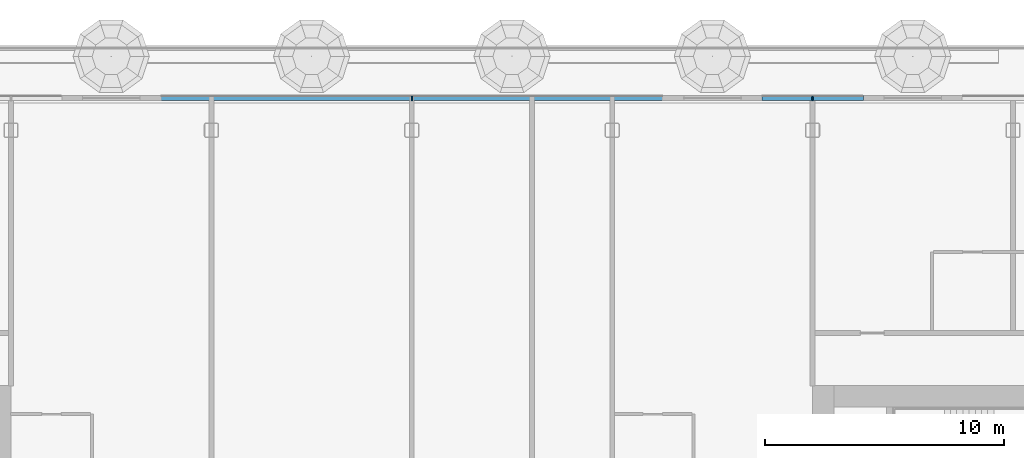
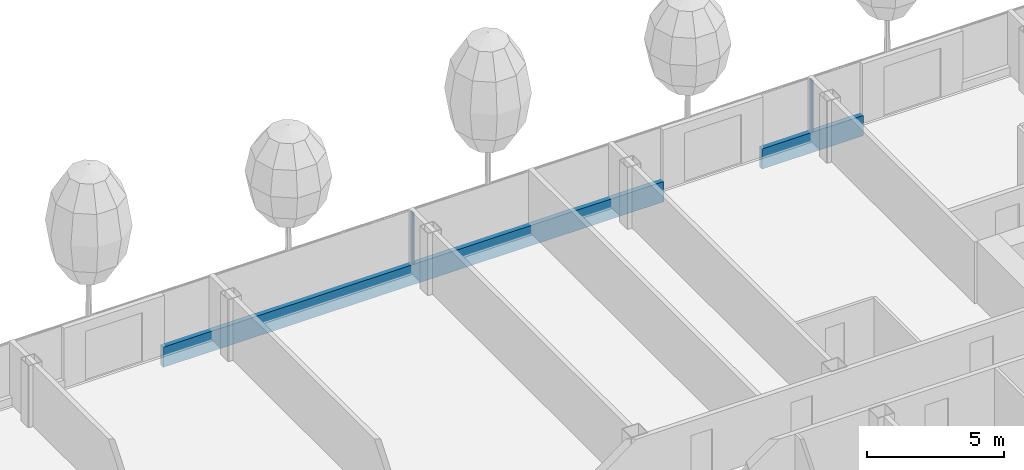
# One storey, part 6 of 28: 4 members, 1 element without a shape of its own.
"""IFC4 building model written with IfcOpenShell, lengths in metres."""

from ifc_helpers import new_model, si_unit, direction, frame, origin, origin_2d, place, context, subcontext, project, spatial, rectangle, extrude, material, layer, layer_set, material_profile, profile_set, type_object, element, aggregate, save


model = new_model("IFC4")

# Units and contexts
model_context = context("Model", 3, precision=1e-05, world=origin(), true_north=direction((0.0, 1.0)))
body_context = subcontext(model_context, "Body", "Model", "MODEL_VIEW")
ifc_project = project(units=[si_unit("LENGTHUNIT", "METRE"), si_unit("AREAUNIT", "SQUARE_METRE"), si_unit("VOLUMEUNIT", "CUBIC_METRE"), si_unit("PLANEANGLEUNIT", "RADIAN"), si_unit("MASSUNIT", "GRAM", prefix="KILO")], contexts=[model_context])

# Site, building, storey
site_placement = place(None, origin())
site = spatial("IfcSite", under=ifc_project, at=site_placement, CompositionType="ELEMENT")
building_placement = place(site_placement, origin())
building = spatial("IfcBuilding", under=site, at=building_placement, Name="Hakoniwa Tower and Hamabe Station Hall", CompositionType="ELEMENT")
storey_placement = place(building_placement, frame((0.0, 0.0, 218.60009765625)))
storey = spatial("IfcBuildingStorey", under=building, at=storey_placement, Name="L62", CompositionType="ELEMENT", Elevation=218.60009765625)

# Curtain wall, members
ifc_material_1 = material(Name="Dark low-e laminated glass", Category="glass")
ifc_layer = layer(ifc_material_1, 0.199951171875)
ifc_layer_set = layer_set([ifc_layer], Name="CW-1 UNITISED GUEST")
curtain_wall_type = type_object("IfcCurtainWallType", Name="CW-1 UNITISED GUEST", PredefinedType="NOTDEFINED", material=ifc_layer_set)
curtain_wall_placement = place(storey_placement, origin())
curtain_wall = element("IfcCurtainWall", 1, at=curtain_wall_placement, inside=storey, type_object=curtain_wall_type, Name="CW-1 curtain wall", PredefinedType="NOTDEFINED")
ifc_material_2 = material(Name="Aluminium 6063-T5 black anodised", Category="aluminium")
ifc_material_profile_1 = material_profile(ifc_material_2, rectangle(XDim=0.199951171875, YDim=0.89990234375, at=origin_2d()), Name="CW SLAB-EDGE BAND 900X200")
ifc_profile_set_1 = profile_set([ifc_material_profile_1], Name="Aluminium 6063-T5 black anodised")
member_type_1 = type_object("IfcMemberType", Name="CW SLAB-EDGE BAND 900X200", PredefinedType="USERDEFINED", material=ifc_profile_set_1)
member_1_placement = place(storey_placement, frame((18.929931640625, 20.449951171875, -0.10009765625), z_axis=(-1.0, 0.0, 0.0), x_axis=(0.0, -1.0, 0.0)))
member_1 = element("IfcMember", 2, at=member_1_placement, type_object=member_type_1, Name="CW-1 transom", ObjectType="TRANSOM", PredefinedType="USERDEFINED", context=body_context, shape_type="SweptSolid", body=[
    extrude(rectangle(XDim=0.199951171875, YDim=0.89990234375, at=origin_2d()), origin(), (0.0, 0.0, 1.0), 4.260009765625),
])
member_2_placement = place(storey_placement, frame((10.530029296875, 20.449951171875, -0.10009765625), z_axis=(-1.0, 0.0, 0.0), x_axis=(0.0, -1.0, 0.0)))
member_2 = element("IfcMember", 3, at=member_2_placement, type_object=member_type_1, Name="CW-1 transom", ObjectType="TRANSOM", PredefinedType="USERDEFINED", context=body_context, shape_type="SweptSolid", body=[
    extrude(rectangle(XDim=0.199951171875, YDim=0.89990234375, at=origin_2d()), origin(), (0.0, 0.0, 1.0), 21.06005859375),
])
ifc_material_3 = material(Name="Aluminium 6063-T5 black anodised", Category="aluminium")
ifc_material_profile_2 = material_profile(ifc_material_3, rectangle(XDim=0.06005859375, YDim=0.179931640625, at=origin_2d()), Name="CW-1 MULLION 60X180")
ifc_profile_set_2 = profile_set([ifc_material_profile_2], Name="Aluminium 6063-T5 black anodised")
member_type_2 = type_object("IfcMemberType", Name="CW-1 MULLION 60X180", PredefinedType="MULLION", material=ifc_profile_set_2)
member_3_placement = place(storey_placement, frame((16.800048828125, 20.431884765625, 0.349853515625), z_axis=(0.0, 0.0, 1.0), x_axis=(-1.0, 0.0, 0.0)))
member_3 = element("IfcMember", 4, at=member_3_placement, type_object=member_type_2, Name="CW-1 mullion", PredefinedType="MULLION", context=body_context, shape_type="SweptSolid", body=[
    extrude(rectangle(XDim=0.06005859375, YDim=0.179931640625, at=origin_2d()), origin(), (0.0, 0.0, 1.0), 2.300048828125),
])
member_4_placement = place(storey_placement, frame((0.0, 20.431884765625, 0.349853515625), z_axis=(0.0, 0.0, 1.0), x_axis=(-1.0, 0.0, 0.0)))
member_4 = element("IfcMember", 5, at=member_4_placement, type_object=member_type_2, Name="CW-1 mullion", PredefinedType="MULLION", context=body_context, shape_type="SweptSolid", body=[
    extrude(rectangle(XDim=0.06005859375, YDim=0.179931640625, at=origin_2d()), origin(), (0.0, 0.0, 1.0), 2.300048828125),
])
aggregate(curtain_wall, [member_3, member_4, member_1, member_2])

save(model, "model.ifc")
